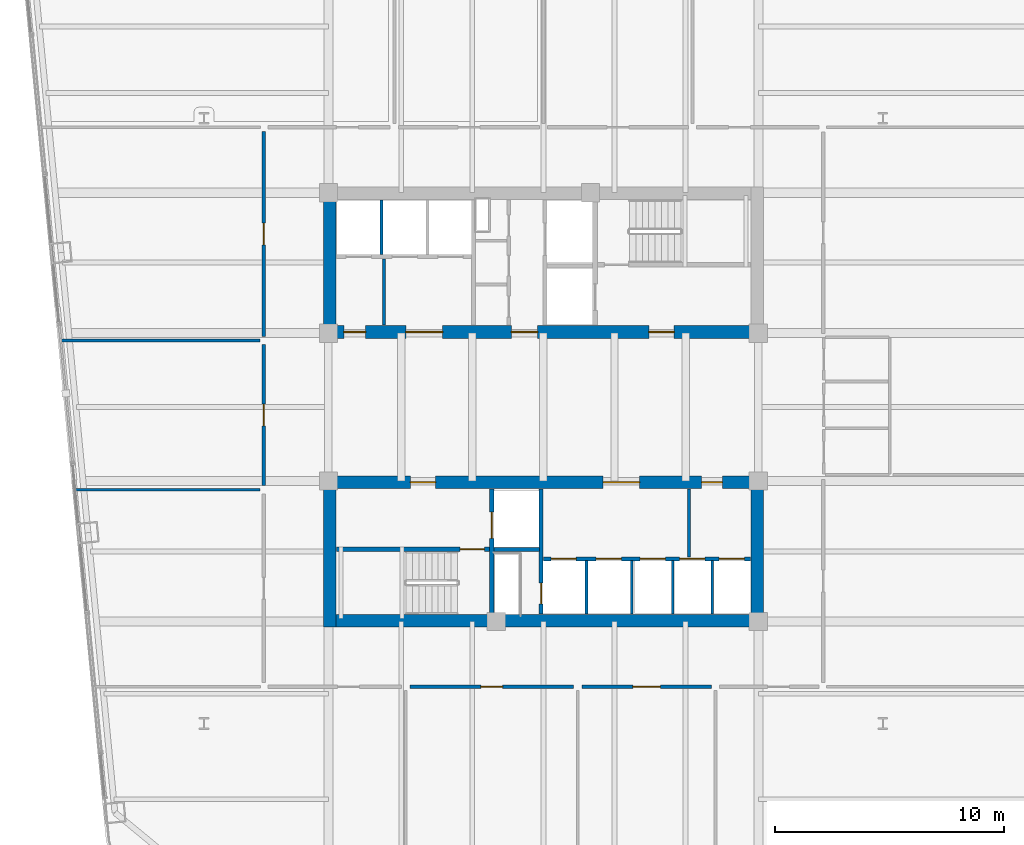
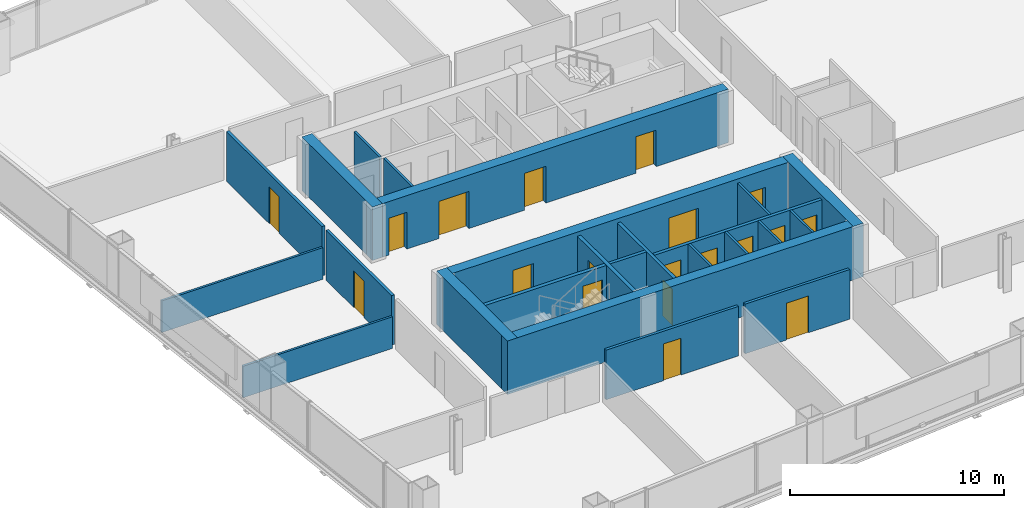
# One storey, part 23 of 28: 24 walls, 19 doors, 19 openings.
"""IFC4 building model written with IfcOpenShell, lengths in metres."""

import ifcopenshell
import ifcopenshell.guid

model = None  # the IFC model being written
_history = None  # IfcOwnerHistory: only IFC2X3 demands one
_inside = {}  # id of a spatial element -> (the spatial element, [elements in it])
_under = {}  # id of a project, library or spatial element -> (it, [spatial elements below it])
_declared = {}  # id of a project -> (the project, [libraries it declares])
_typed = {}  # id of a type object -> (the type object, [elements of that type])
_made_of = {}  # id of a material, layer set ... -> (it, [elements and type objects made of it])


def new_model(schema):
    """Start an empty IFC model of exactly this schema.

    Asked for "IFC4X3", IfcOpenShell would pick the latest addendum, in which some entities
    have other attributes; the version numbers below select the first issue.
    IFC2X3 requires an IfcOwnerHistory on every rooted entity: one is made here for all.
    """
    global model, _history
    if schema == "IFC4X3":
        model = ifcopenshell.file(schema_version=(4, 3, 0, 0))
    else:
        model = ifcopenshell.file(schema=schema)
    _inside.clear()
    _under.clear()
    _declared.clear()
    _typed.clear()
    _made_of.clear()
    _history = None
    if model.schema == "IFC2X3":
        org = make("IfcOrganization", Name="unknown")
        user = make(
            "IfcPersonAndOrganization",
            ThePerson=make("IfcPerson", FamilyName="unknown"),
            TheOrganization=org,
        )
        app = make(
            "IfcApplication",
            ApplicationDeveloper=org,
            Version="unknown",
            ApplicationFullName="unknown",
            ApplicationIdentifier="unknown",
        )
        _history = make(
            "IfcOwnerHistory",
            OwningUser=user,
            OwningApplication=app,
            ChangeAction="ADDED",
            CreationDate=0,
        )
    return model


def make(cls, **values):
    """One entity of the class cls with the attributes given. An attribute that is None is left unset."""
    return model.create_entity(
        cls, **{name: value for name, value in values.items() if value is not None}
    )


def rooted(cls, **values):
    """An entity with a GlobalId (a new one), such as an element, a storey or a relation."""
    return make(cls, GlobalId=ifcopenshell.guid.new(), OwnerHistory=_history, **values)


def si_unit(unit_type, name, prefix=None):
    """IfcSIUnit, for example si_unit("LENGTHUNIT", "METRE", prefix="MILLI")."""
    return make("IfcSIUnit", UnitType=unit_type, Prefix=prefix, Name=name)


def assignment(units):
    """IfcUnitAssignment: the units of a project."""
    return None if units is None else make("IfcUnitAssignment", Units=units)


def point(xyz):
    """IfcCartesianPoint."""
    return None if xyz is None else make("IfcCartesianPoint", Coordinates=xyz)


def direction(xyz):
    """IfcDirection."""
    return None if xyz is None else make("IfcDirection", DirectionRatios=xyz)


def frame(location, z_axis=None, x_axis=None):
    """IfcAxis2Placement3D, a coordinate frame: its origin and axes. An axis left out is left unset."""
    return make(
        "IfcAxis2Placement3D",
        Location=point(location),
        Axis=direction(z_axis),
        RefDirection=direction(x_axis),
    )


def frame_2d(location, x_axis=None):
    """IfcAxis2Placement2D, a coordinate frame in the plane: its origin and x axis."""
    return make(
        "IfcAxis2Placement2D", Location=point(location), RefDirection=direction(x_axis)
    )


def origin():
    """The frame at (0, 0, 0) with its axes left unset."""
    return frame((0.0, 0.0, 0.0))


def place(relative_to, where):
    """IfcLocalPlacement: puts the frame where relative to a parent placement (None: the world)."""
    return make(
        "IfcLocalPlacement", PlacementRelTo=relative_to, RelativePlacement=where
    )


def context(
    kind, dimensions, precision=None, world=None, true_north=None, identifier=None
):
    """IfcGeometricRepresentationContext, for example the 3D "Model" context."""
    return make(
        "IfcGeometricRepresentationContext",
        ContextIdentifier=identifier,
        ContextType=kind,
        CoordinateSpaceDimension=dimensions,
        Precision=precision,
        WorldCoordinateSystem=world,
        TrueNorth=true_north,
    )


def subcontext(parent, identifier, kind, view, scale=None):
    """IfcGeometricRepresentationSubContext, for example "Body" below "Model"."""
    return make(
        "IfcGeometricRepresentationSubContext",
        ContextIdentifier=identifier,
        ContextType=kind,
        ParentContext=parent,
        TargetScale=scale,
        TargetView=view,
    )


def project(units=None, contexts=None):
    """IfcProject with its units and contexts."""
    return rooted(
        "IfcProject",
        Name="project",
        RepresentationContexts=contexts,
        UnitsInContext=assignment(units),
    )


def spatial(cls, under=None, at=None, **own):
    """A site, building, storey or space (cls), placed at a placement, below another one or the project."""
    s = rooted(cls, ObjectPlacement=at, **own)
    if under is not None:
        _under.setdefault(under.id(), (under, []))[1].append(s)
    return s


def profile(cls, at=None, kind="AREA", **sizes):
    """A parametric profile (cls). Its sizes go by their IFC names, for example OverallWidth=200.0."""
    return make(cls, ProfileType=kind, Position=at, **sizes)


def rectangle(**sizes):
    """IfcRectangleProfileDef."""
    return profile("IfcRectangleProfileDef", **sizes)


def extrude(swept, where, along, depth):
    """IfcExtrudedAreaSolid: the profile swept, set in the frame where, extruded along a direction by depth."""
    return make(
        "IfcExtrudedAreaSolid",
        SweptArea=swept,
        Position=where,
        ExtrudedDirection=direction(along),
        Depth=depth,
    )


def shape(context_of_items, identifier, shape_type, items):
    """IfcShapeRepresentation: the items that make up one representation, for example the "Body"."""
    return make(
        "IfcShapeRepresentation",
        ContextOfItems=context_of_items,
        RepresentationIdentifier=identifier,
        RepresentationType=shape_type,
        Items=items,
    )


def material(Name=None, Category=None):
    """IfcMaterial."""
    return make("IfcMaterial", Name=Name, Category=Category)


def layer(
    of_material, thickness, ventilated=None, Name=None, Category=None, Priority=None
):
    """IfcMaterialLayer: one layer of a wall or slab, of a material (None: an air gap)."""
    return make(
        "IfcMaterialLayer",
        Material=of_material,
        LayerThickness=thickness,
        IsVentilated=ventilated,
        Name=Name,
        Category=Category,
        Priority=Priority,
    )


def layer_set(layers, Name=None):
    """IfcMaterialLayerSet."""
    return make("IfcMaterialLayerSet", MaterialLayers=layers, LayerSetName=Name)


def made_of(thing, what):
    """Note that an element or type object is made of a material, layer set ...; save() writes the relation."""
    if what is not None:
        _made_of.setdefault(what.id(), (what, []))[1].append(thing)
    return thing


def type_object(cls, material=None, **own):
    """A type object (cls), such as IfcWallType, which elements share."""
    return made_of(rooted(cls, **own), material)


def element(
    cls,
    number,
    at=None,
    inside=None,
    cuts=None,
    type_object=None,
    material=None,
    context=None,
    identifier="Body",
    shape_type=None,
    held_by="IfcProductDefinitionShape",
    body=None,
    shapes=None,
    **own,
):
    """One element of the class cls, such as IfcWall. Its Tag is "e" and its number.

    at: its placement. inside: the storey or other place that contains it. cuts: it is an
    opening in that element (IfcRelVoidsElement). A single representation is given by context,
    identifier, shape_type and body (its items); several are given by shapes. held_by: the class
    of the entity that holds the representations. save() writes the other relations.
    """
    e = rooted(cls, Tag="e%d" % number, ObjectPlacement=at, **own)
    if body is not None:
        shapes = [shape(context, identifier, shape_type, body)]
    if shapes is not None:
        e.Representation = make(held_by, Representations=shapes)
    if inside is not None:
        _inside.setdefault(inside.id(), (inside, []))[1].append(e)
    if cuts is not None:
        rooted(
            "IfcRelVoidsElement", RelatingBuildingElement=cuts, RelatedOpeningElement=e
        )
    if type_object is not None:
        _typed.setdefault(type_object.id(), (type_object, []))[1].append(e)
    return made_of(e, material)


def fill(opening, filler):
    """IfcRelFillsElement: the door or window that sits in an opening."""
    return rooted(
        "IfcRelFillsElement",
        RelatingOpeningElement=opening,
        RelatedBuildingElement=filler,
    )


def aggregate(whole, parts):
    """IfcRelAggregates: a whole, such as a stair, and the parts it consists of."""
    return rooted("IfcRelAggregates", RelatingObject=whole, RelatedObjects=parts)


def save(model, path):
    """Write the relations noted so far, then the file.

    IfcRelAggregates (storeys below a building ...), IfcRelContainedInSpatialStructure (elements
    in a storey), IfcRelDefinesByType, IfcRelAssociatesMaterial and IfcRelDeclares: one each for
    every whole, place, type object, material and project.
    """
    for whole, parts in _under.values():
        aggregate(whole, parts)
    for where, things in _inside.values():
        rooted(
            "IfcRelContainedInSpatialStructure",
            RelatedElements=things,
            RelatingStructure=where,
        )
    for kind, things in _typed.values():
        rooted("IfcRelDefinesByType", RelatedObjects=things, RelatingType=kind)
    for what, things in _made_of.values():
        rooted("IfcRelAssociatesMaterial", RelatedObjects=things, RelatingMaterial=what)
    for by, libraries in _declared.values():
        rooted("IfcRelDeclares", RelatingContext=by, RelatedDefinitions=libraries)
    model.write(path)


model = new_model("IFC4")

# Units and contexts
model_context = context("Model", 3, precision=1e-05, world=origin(), true_north=direction((0.0, 1.0)))
body_context = subcontext(model_context, "Body", "Model", "MODEL_VIEW")
ifc_project = project(units=[si_unit("LENGTHUNIT", "METRE"), si_unit("AREAUNIT", "SQUARE_METRE"), si_unit("VOLUMEUNIT", "CUBIC_METRE"), si_unit("PLANEANGLEUNIT", "RADIAN"), si_unit("MASSUNIT", "GRAM", prefix="KILO")], contexts=[model_context])

# Site, building, storey
site_placement = place(None, origin())
site = spatial("IfcSite", under=ifc_project, at=site_placement, CompositionType="ELEMENT")
building_placement = place(site_placement, origin())
building = spatial("IfcBuilding", under=site, at=building_placement, Name="Qhalaya Broadcast Tower", CompositionType="ELEMENT")
storey_placement = place(building_placement, frame((0.0, 0.0, 90.800048828125)))
storey = spatial("IfcBuildingStorey", under=building, at=storey_placement, Name="L26", CompositionType="ELEMENT", Elevation=90.800048828125)

# Wall, opening, door
ifc_material_1 = material(Name="Gypsum Acoustic Partition")
ifc_layer_1 = layer(ifc_material_1, 0.14990234375, Name="Gypsum Acoustic Partition")
ifc_layer_set_1 = layer_set([ifc_layer_1], Name="Gypsum Acoustic Partition")
wall_type_1 = type_object("IfcWallType", Name="Corridor & Tenancy Acoustic Partition 150", PredefinedType="PARTITIONING", material=ifc_layer_set_1)
wall_1_placement = place(storey_placement, frame((-5.820068359375, -11.60009765625, 0.0), z_axis=(0.0, 0.0, 1.0), x_axis=(1.0, 0.0, 0.0)))
wall_1 = element("IfcWall", 1, at=wall_1_placement, inside=storey, type_object=wall_type_1, Name="L26 Partition Wall W-COR-06", PredefinedType="PARTITIONING", context=body_context, shape_type="SweptSolid", body=[
    extrude(rectangle(XDim=7.14013671875, YDim=0.14990234375, at=frame_2d((3.570068359375, 0.0))), origin(), (0.0, 0.0, 1.0), 2.829833984375),
])
opening_1_placement = place(wall_1_placement, frame((3.094970703125, 0.0, 0.0)))
opening_1 = element("IfcOpeningElement", 2, at=opening_1_placement, cuts=wall_1, Name="Opening D10", PredefinedType="OPENING", context=body_context, shape_type="SweptSolid", body=[
    extrude(rectangle(XDim=0.949951171875, YDim=2.10009765625, at=frame_2d((0.47509765625, 1.050048828125))), frame((0.0, 0.0869140625, 0.0), z_axis=(0.0, -1.0, 0.0), x_axis=(1.0, 0.0, 0.0)), (0.0, 0.0, 1.0), 0.173828125),
])
ifc_material_2 = material(Name="Timber Veneer Acoustic Door", Category="wood")
door_type_1 = type_object("IfcDoorType", Name="Cellular Office & Edit Booth Door D10", OperationType="NOTDEFINED", PredefinedType="DOOR", material=ifc_material_2)
door_1_placement = place(opening_1_placement, origin())
door_1 = element("IfcDoor", 3, at=door_1_placement, inside=storey, type_object=door_type_1, Name="L26 Door D-RM06", OperationType="SINGLE_SWING_LEFT", OverallHeight=2.10009765625, OverallWidth=0.949951171875, PredefinedType="DOOR", context=body_context, shape_type="SweptSolid", body=[
    extrude(rectangle(XDim=0.949951171875, YDim=2.10009765625, at=frame_2d((0.47509765625, 1.050048828125))), frame((0.0, 0.02490234375, 0.0), z_axis=(0.0, -1.0, 0.0), x_axis=(1.0, 0.0, 0.0)), (0.0, 0.0, 1.0), 0.050048828125),
])
fill(opening_1, door_1)

wall_2_placement = place(storey_placement, frame((1.679931640625, -11.60009765625, 0.0), z_axis=(0.0, 0.0, 1.0), x_axis=(1.0, 0.0, 0.0)))
wall_2 = element("IfcWall", 4, at=wall_2_placement, inside=storey, type_object=wall_type_1, Name="L26 Partition Wall W-COR-07", PredefinedType="PARTITIONING", context=body_context, shape_type="SweptSolid", body=[
    extrude(rectangle(XDim=5.64013671875, YDim=0.14990234375, at=frame_2d((2.820068359375, 0.0))), origin(), (0.0, 0.0, 1.0), 2.829833984375),
])
opening_2_placement = place(wall_2_placement, frame((2.219970703125, 0.0, 0.0)))
opening_2 = element("IfcOpeningElement", 5, at=opening_2_placement, cuts=wall_2, Name="Opening D11", PredefinedType="OPENING", context=body_context, shape_type="SweptSolid", body=[
    extrude(rectangle(XDim=1.199951171875, YDim=2.10009765625, at=frame_2d((0.60009765625, 1.050048828125))), frame((0.0, 0.0869140625, 0.0), z_axis=(0.0, -1.0, 0.0), x_axis=(1.0, 0.0, 0.0)), (0.0, 0.0, 1.0), 0.173828125),
])
ifc_material_3 = material(Name="Anodised Aluminium Glazed Door", Category="aluminium")
door_type_2 = type_object("IfcDoorType", Name="Conference, Boardroom & Studio Control Door D11", OperationType="NOTDEFINED", PredefinedType="DOOR", material=ifc_material_3)
door_2_placement = place(opening_2_placement, origin())
door_2 = element("IfcDoor", 6, at=door_2_placement, inside=storey, type_object=door_type_2, Name="L26 Door D-RM07", OperationType="SINGLE_SWING_RIGHT", OverallHeight=2.10009765625, OverallWidth=1.199951171875, PredefinedType="DOOR", context=body_context, shape_type="SweptSolid", body=[
    extrude(rectangle(XDim=1.199951171875, YDim=2.10009765625, at=frame_2d((0.60009765625, 1.050048828125))), frame((0.0, 0.02490234375, 0.0), z_axis=(0.0, -1.0, 0.0), x_axis=(1.0, 0.0, 0.0)), (0.0, 0.0, 1.0), 0.050048828125),
])
fill(opening_2, door_2)

wall_3_placement = place(storey_placement, frame((-12.199951171875, -2.820068359375, 0.0), z_axis=(0.0, 0.0, 1.0), x_axis=(0.0, 1.0, 0.0)))
wall_3 = element("IfcWall", 7, at=wall_3_placement, inside=storey, type_object=wall_type_1, Name="L26 Partition Wall W-COR-10", PredefinedType="PARTITIONING", context=body_context, shape_type="SweptSolid", body=[
    extrude(rectangle(XDim=6.14013671875, YDim=0.14990234375, at=frame_2d((3.070068359375, 0.0))), origin(), (0.0, 0.0, 1.0), 2.829833984375),
])
opening_3_placement = place(wall_3_placement, frame((2.594970703125, 0.0, 0.0)))
opening_3 = element("IfcOpeningElement", 8, at=opening_3_placement, cuts=wall_3, Name="Opening D10", PredefinedType="OPENING", context=body_context, shape_type="SweptSolid", body=[
    extrude(rectangle(XDim=0.949951171875, YDim=2.10009765625, at=frame_2d((0.47509765625, 1.050048828125))), frame((0.0, 0.0869140625, 0.0), z_axis=(0.0, -1.0, 0.0), x_axis=(1.0, 0.0, 0.0)), (0.0, 0.0, 1.0), 0.173828125),
])
door_3_placement = place(opening_3_placement, origin())
door_3 = element("IfcDoor", 9, at=door_3_placement, inside=storey, type_object=door_type_1, Name="L26 Door D-RM10", OperationType="SINGLE_SWING_LEFT", OverallHeight=2.10009765625, OverallWidth=0.949951171875, PredefinedType="DOOR", context=body_context, shape_type="SweptSolid", body=[
    extrude(rectangle(XDim=0.949951171875, YDim=2.10009765625, at=frame_2d((0.47509765625, 1.050048828125))), frame((0.0, 0.02490234375, 0.0), z_axis=(0.0, -1.0, 0.0), x_axis=(1.0, 0.0, 0.0)), (0.0, 0.0, 1.0), 0.050048828125),
])
fill(opening_3, door_3)

wall_4_placement = place(storey_placement, frame((-12.199951171875, 3.679931640625, 0.0), z_axis=(0.0, 0.0, 1.0), x_axis=(0.0, 1.0, 0.0)))
wall_4 = element("IfcWall", 10, at=wall_4_placement, inside=storey, type_object=wall_type_1, Name="L26 Partition Wall W-COR-11", PredefinedType="PARTITIONING", context=body_context, shape_type="SweptSolid", body=[
    extrude(rectangle(XDim=8.940185546875, YDim=0.14990234375, at=frame_2d((4.47021484375, 0.0))), origin(), (0.0, 0.0, 1.0), 2.829833984375),
])
opening_4_placement = place(wall_4_placement, frame((3.9951171875, 0.0, 0.0)))
opening_4 = element("IfcOpeningElement", 11, at=opening_4_placement, cuts=wall_4, Name="Opening D10", PredefinedType="OPENING", context=body_context, shape_type="SweptSolid", body=[
    extrude(rectangle(XDim=0.949951171875, YDim=2.10009765625, at=frame_2d((0.47509765625, 1.050048828125))), frame((0.0, 0.0869140625, 0.0), z_axis=(0.0, -1.0, 0.0), x_axis=(1.0, 0.0, 0.0)), (0.0, 0.0, 1.0), 0.173828125),
])
door_4_placement = place(opening_4_placement, origin())
door_4 = element("IfcDoor", 12, at=door_4_placement, inside=storey, type_object=door_type_1, Name="L26 Door D-RM11", OperationType="SINGLE_SWING_RIGHT", OverallHeight=2.10009765625, OverallWidth=0.949951171875, PredefinedType="DOOR", context=body_context, shape_type="SweptSolid", body=[
    extrude(rectangle(XDim=0.949951171875, YDim=2.10009765625, at=frame_2d((0.47509765625, 1.050048828125))), frame((0.0, 0.02490234375, 0.0), z_axis=(0.0, -1.0, 0.0), x_axis=(1.0, 0.0, 0.0)), (0.0, 0.0, 1.0), 0.050048828125),
])
fill(opening_4, door_4)

ifc_material_4 = material(Name="Concrete C50/60", Category="concrete")
ifc_layer_2 = layer(ifc_material_4, 0.199951171875, Name="Concrete C50/60")
ifc_layer_set_2 = layer_set([ifc_layer_2], Name="Concrete C50/60")
wall_type_2 = type_object("IfcWallType", Name="Load-Bearing Stair Shaft Wall 200", PredefinedType="SHEAR", material=ifc_layer_set_2)
wall_5_placement = place(storey_placement, frame((-9.030029296875, -5.60498046875, 0.0), z_axis=(0.0, 0.0, 1.0), x_axis=(1.0, 0.0, 0.0)))
wall_5 = element("IfcWall", 13, at=wall_5_placement, inside=storey, type_object=wall_type_2, Name="L26 Stair Core Shear Wall SCW-ST2", PredefinedType="SHEAR", context=body_context, shape_type="SweptSolid", body=[
    extrude(rectangle(XDim=6.669921875, YDim=0.199951171875, at=frame_2d((3.3349609375, 0.0))), origin(), (0.0, 0.0, 1.0), 2.829833984375),
])
opening_5_placement = place(wall_5_placement, frame((5.39990234375, 0.0, 0.0)))
opening_5 = element("IfcOpeningElement", 14, at=opening_5_placement, cuts=wall_5, Name="Opening D03", PredefinedType="OPENING", context=body_context, shape_type="SweptSolid", body=[
    extrude(rectangle(XDim=1.050048828125, YDim=2.080078125, at=frame_2d((0.52490234375, 1.0400390625))), frame((0.0, 0.112060546875, 0.0), z_axis=(0.0, -1.0, 0.0), x_axis=(1.0, 0.0, 0.0)), (0.0, 0.0, 1.0), 0.223876953125),
])
ifc_material_5 = material(Name="Fire-Rated Steel Door", Category="steel")
door_type_3 = type_object("IfcDoorType", Name="Core Stair Protected Fire Door D03", OperationType="NOTDEFINED", PredefinedType="DOOR", material=ifc_material_5)
door_5_placement = place(opening_5_placement, origin())
door_5 = element("IfcDoor", 15, at=door_5_placement, inside=storey, type_object=door_type_3, Name="L26 Door D-SST2", OperationType="SINGLE_SWING_RIGHT", OverallHeight=2.080078125, OverallWidth=1.050048828125, PredefinedType="DOOR", context=body_context, shape_type="SweptSolid", body=[
    extrude(rectangle(XDim=1.050048828125, YDim=2.080078125, at=frame_2d((0.52490234375, 1.0400390625))), frame((0.0, 0.02490234375, 0.0), z_axis=(0.0, -1.0, 0.0), x_axis=(1.0, 0.0, 0.0)), (0.0, 0.0, 1.0), 0.050048828125),
])
fill(opening_5, door_5)

wall_6_placement = place(storey_placement, frame((-2.25, -8.429931640625, 0.0), z_axis=(0.0, 0.0, 1.0), x_axis=(0.0, 1.0, 0.0)))
wall_6 = element("IfcWall", 16, at=wall_6_placement, inside=storey, type_object=wall_type_2, Name="L26 Stair Core Shear Wall SCW-FF", PredefinedType="SHEAR", context=body_context, shape_type="SweptSolid", body=[
    extrude(rectangle(XDim=5.4599609375, YDim=0.199951171875, at=frame_2d((2.72998046875, 0.0))), origin(), (0.0, 0.0, 1.0), 2.829833984375),
])
opening_6_placement = place(wall_6_placement, frame((3.300048828125, 0.0, 0.0)))
opening_6 = element("IfcOpeningElement", 17, at=opening_6_placement, cuts=wall_6, Name="Opening LD2", PredefinedType="OPENING", context=body_context, shape_type="SweptSolid", body=[
    extrude(rectangle(XDim=1.14990234375, YDim=2.080078125, at=frame_2d((0.574951171875, 1.0400390625))), frame((0.0, 0.112060546875, 0.0), z_axis=(0.0, -1.0, 0.0), x_axis=(1.0, 0.0, 0.0)), (0.0, 0.0, 1.0), 0.223876953125),
])
ifc_material_6 = material(Name="Brushed Stainless Steel Lift Door", Category="steel")
door_type_4 = type_object("IfcDoorType", Name="Firefighting Lift Sliding Landing Door LD2", OperationType="DOUBLE_DOOR_SLIDING", PredefinedType="DOOR", material=ifc_material_6)
door_6_placement = place(opening_6_placement, origin())
door_6 = element("IfcDoor", 18, at=door_6_placement, inside=storey, type_object=door_type_4, Name="L26 Door LD-FF2", OperationType="DOUBLE_DOOR_SLIDING", OverallHeight=2.080078125, OverallWidth=1.14990234375, PredefinedType="DOOR", context=body_context, shape_type="SweptSolid", body=[
    extrude(rectangle(XDim=1.14990234375, YDim=2.080078125, at=frame_2d((0.574951171875, 1.0400390625))), frame((0.0, 0.02490234375, 0.0), z_axis=(0.0, -1.0, 0.0), x_axis=(1.0, 0.0, 0.0)), (0.0, 0.0, 1.0), 0.050048828125),
])
fill(opening_6, door_6)

# Wall, openings, doors
ifc_material_7 = material(Name="Concrete C60/75", Category="concrete")
ifc_layer_3 = layer(ifc_material_7, 0.550048828125, Name="Concrete C60/75")
ifc_layer_set_3 = layer_set([ifc_layer_3], Name="Concrete C60/75")
wall_type_3 = type_object("IfcWallType", Name="Lower Split-Core Shear Wall 550", PredefinedType="SHEAR", material=ifc_layer_set_3)
wall_7_placement = place(storey_placement, frame((-9.60009765625, 3.875, 0.0), z_axis=(0.0, 0.0, 1.0), x_axis=(1.0, 0.0, 0.0)))
wall_7 = element("IfcWall", 19, at=wall_7_placement, inside=storey, type_object=wall_type_3, Name="L26 Split-Core Shear Wall CW-NS", PredefinedType="SHEAR", context=body_context, shape_type="SweptSolid", body=[
    extrude(rectangle(XDim=19.2001953125, YDim=0.550048828125, at=frame_2d((9.60009765625, 0.0))), origin(), (0.0, 0.0, 1.0), 3.050048828125),
])
opening_7_placement = place(wall_7_placement, frame((14.199951171875, 0.0, 0.0)))
opening_7 = element("IfcOpeningElement", 20, at=opening_7_placement, cuts=wall_7, Name="Opening D04", PredefinedType="OPENING", context=body_context, shape_type="SweptSolid", body=[
    extrude(rectangle(XDim=1.10009765625, YDim=2.080078125, at=frame_2d((0.550048828125, 1.0400390625))), frame((0.0, 0.287109375, 0.0), z_axis=(0.0, -1.0, 0.0), x_axis=(1.0, 0.0, 0.0)), (0.0, 0.0, 1.0), 0.573974609375),
])
opening_8_placement = place(wall_7_placement, frame((8.199951171875, 0.0, 0.0)))
opening_8 = element("IfcOpeningElement", 21, at=opening_8_placement, cuts=wall_7, Name="Opening D05", PredefinedType="OPENING", context=body_context, shape_type="SweptSolid", body=[
    extrude(rectangle(XDim=1.14990234375, YDim=2.10009765625, at=frame_2d((0.574951171875, 1.050048828125))), frame((0.0, 0.287109375, 0.0), z_axis=(0.0, -1.0, 0.0), x_axis=(1.0, 0.0, 0.0)), (0.0, 0.0, 1.0), 0.573974609375),
])
opening_9_placement = place(wall_7_placement, frame((0.89990234375, 0.0, 0.0)))
opening_9 = element("IfcOpeningElement", 22, at=opening_9_placement, cuts=wall_7, Name="Opening D10", PredefinedType="OPENING", context=body_context, shape_type="SweptSolid", body=[
    extrude(rectangle(XDim=0.949951171875, YDim=2.10009765625, at=frame_2d((0.47509765625, 1.050048828125))), frame((0.0, 0.287109375, 0.0), z_axis=(0.0, -1.0, 0.0), x_axis=(1.0, 0.0, 0.0)), (0.0, 0.0, 1.0), 0.573974609375),
])
opening_10_placement = place(wall_7_placement, frame((3.60009765625, 0.0, 0.0)))
opening_10 = element("IfcOpeningElement", 23, at=opening_10_placement, cuts=wall_7, Name="Opening D07", PredefinedType="OPENING", context=body_context, shape_type="SweptSolid", body=[
    extrude(rectangle(XDim=1.60009765625, YDim=2.1201171875, at=frame_2d((0.800048828125, 1.06005859375))), frame((0.0, 0.287109375, 0.0), z_axis=(0.0, -1.0, 0.0), x_axis=(1.0, 0.0, 0.0)), (0.0, 0.0, 1.0), 0.573974609375),
])
door_7_placement = place(opening_9_placement, origin())
door_7 = element("IfcDoor", 24, at=door_7_placement, inside=storey, type_object=door_type_1, Name="L26 Door D-NLPNT", OperationType="SINGLE_SWING_RIGHT", OverallHeight=2.10009765625, OverallWidth=0.949951171875, PredefinedType="DOOR", context=body_context, shape_type="SweptSolid", body=[
    extrude(rectangle(XDim=0.949951171875, YDim=2.10009765625, at=frame_2d((0.47509765625, 1.050048828125))), frame((0.0, 0.02490234375, 0.0), z_axis=(0.0, -1.0, 0.0), x_axis=(1.0, 0.0, 0.0)), (0.0, 0.0, 1.0), 0.050048828125),
])
fill(opening_9, door_7)
door_type_5 = type_object("IfcDoorType", Name="Firefighting Lobby Rated Door D04", OperationType="NOTDEFINED", PredefinedType="DOOR", material=ifc_material_5)
door_8_placement = place(opening_7_placement, origin())
door_8 = element("IfcDoor", 25, at=door_8_placement, inside=storey, type_object=door_type_5, Name="L26 Door D-NFF", OperationType="SINGLE_SWING_RIGHT", OverallHeight=2.080078125, OverallWidth=1.10009765625, PredefinedType="DOOR", context=body_context, shape_type="SweptSolid", body=[
    extrude(rectangle(XDim=1.10009765625, YDim=2.080078125, at=frame_2d((0.550048828125, 1.0400390625))), frame((0.0, 0.02490234375, 0.0), z_axis=(0.0, -1.0, 0.0), x_axis=(1.0, 0.0, 0.0)), (0.0, 0.0, 1.0), 0.050048828125),
])
fill(opening_7, door_8)
door_type_6 = type_object("IfcDoorType", Name="Passenger Lift Lobby Double Glazed Door D07", OperationType="DOUBLE_DOOR_SINGLE_SWING", PredefinedType="DOOR", material=ifc_material_3)
door_9_placement = place(opening_10_placement, origin())
door_9 = element("IfcDoor", 26, at=door_9_placement, inside=storey, type_object=door_type_6, Name="L26 Door D-NPLL", OperationType="DOUBLE_DOOR_SINGLE_SWING", OverallHeight=2.1201171875, OverallWidth=1.60009765625, PredefinedType="DOOR", context=body_context, shape_type="SweptSolid", body=[
    extrude(rectangle(XDim=1.60009765625, YDim=2.1201171875, at=frame_2d((0.800048828125, 1.06005859375))), frame((0.0, 0.02490234375, 0.0), z_axis=(0.0, -1.0, 0.0), x_axis=(1.0, 0.0, 0.0)), (0.0, 0.0, 1.0), 0.050048828125),
])
fill(opening_10, door_9)
door_type_7 = type_object("IfcDoorType", Name="Refuge & Plant Room Fire Door D05", OperationType="NOTDEFINED", PredefinedType="DOOR", material=ifc_material_5)
door_10_placement = place(opening_8_placement, origin())
door_10 = element("IfcDoor", 27, at=door_10_placement, inside=storey, type_object=door_type_7, Name="L26 Door D-NSVL", OperationType="SINGLE_SWING_LEFT", OverallHeight=2.10009765625, OverallWidth=1.14990234375, PredefinedType="DOOR", context=body_context, shape_type="SweptSolid", body=[
    extrude(rectangle(XDim=1.14990234375, YDim=2.10009765625, at=frame_2d((0.574951171875, 1.050048828125))), frame((0.0, 0.02490234375, 0.0), z_axis=(0.0, -1.0, 0.0), x_axis=(1.0, 0.0, 0.0)), (0.0, 0.0, 1.0), 0.050048828125),
])
fill(opening_8, door_10)

# Walls
wall_8_placement = place(storey_placement, frame((-9.324951171875, 3.60009765625, 0.0), z_axis=(0.0, 0.0, 1.0), x_axis=(0.0, 1.0, 0.0)))
element("IfcWall", 28, at=wall_8_placement, inside=storey, type_object=wall_type_3, Name="L26 Split-Core Shear Wall CW-NW", PredefinedType="SHEAR", context=body_context, shape_type="SweptSolid", body=[
    extrude(rectangle(XDim=6.599853515625, YDim=0.550048828125, at=frame_2d((3.2998046875, 0.0))), origin(), (0.0, 0.0, 1.0), 3.050048828125),
])
wall_9_placement = place(storey_placement, frame((-9.60009765625, -8.72509765625, 0.0), z_axis=(0.0, 0.0, 1.0), x_axis=(1.0, 0.0, 0.0)))
element("IfcWall", 29, at=wall_9_placement, inside=storey, type_object=wall_type_3, Name="L26 Split-Core Shear Wall CW-SS", PredefinedType="SHEAR", context=body_context, shape_type="SweptSolid", body=[
    extrude(rectangle(XDim=19.2001953125, YDim=0.550048828125, at=frame_2d((9.60009765625, 0.0))), origin(), (0.0, 0.0, 1.0), 3.050048828125),
])

# Wall, openings, doors
wall_10_placement = place(storey_placement, frame((-9.60009765625, -2.675048828125, 0.0), z_axis=(0.0, 0.0, 1.0), x_axis=(1.0, 0.0, 0.0)))
wall_10 = element("IfcWall", 30, at=wall_10_placement, inside=storey, type_object=wall_type_3, Name="L26 Split-Core Shear Wall CW-SN", PredefinedType="SHEAR", context=body_context, shape_type="SweptSolid", body=[
    extrude(rectangle(XDim=19.2001953125, YDim=0.550048828125, at=frame_2d((9.60009765625, 0.0))), origin(), (0.0, 0.0, 1.0), 3.050048828125),
])
opening_11_placement = place(wall_10_placement, frame((3.800048828125, 0.0, 0.0)))
opening_11 = element("IfcOpeningElement", 31, at=opening_11_placement, cuts=wall_10, Name="Opening D04", PredefinedType="OPENING", context=body_context, shape_type="SweptSolid", body=[
    extrude(rectangle(XDim=1.10009765625, YDim=2.080078125, at=frame_2d((0.550048828125, 1.0400390625))), frame((0.0, 0.287109375, 0.0), z_axis=(0.0, -1.0, 0.0), x_axis=(1.0, 0.0, 0.0)), (0.0, 0.0, 1.0), 0.573974609375),
])
opening_12_placement = place(wall_10_placement, frame((12.199951171875, 0.0, 0.0)))
opening_12 = element("IfcOpeningElement", 32, at=opening_12_placement, cuts=wall_10, Name="Opening D07", PredefinedType="OPENING", context=body_context, shape_type="SweptSolid", body=[
    extrude(rectangle(XDim=1.60009765625, YDim=2.1201171875, at=frame_2d((0.800048828125, 1.06005859375))), frame((0.0, 0.287109375, 0.0), z_axis=(0.0, -1.0, 0.0), x_axis=(1.0, 0.0, 0.0)), (0.0, 0.0, 1.0), 0.573974609375),
])
opening_13_placement = place(wall_10_placement, frame((16.5, 0.0, 0.0)))
opening_13 = element("IfcOpeningElement", 33, at=opening_13_placement, cuts=wall_10, Name="Opening D06", PredefinedType="OPENING", context=body_context, shape_type="SweptSolid", body=[
    extrude(rectangle(XDim=0.89990234375, YDim=2.050048828125, at=frame_2d((0.449951171875, 1.02490234375))), frame((0.0, 0.287109375, 0.0), z_axis=(0.0, -1.0, 0.0), x_axis=(1.0, 0.0, 0.0)), (0.0, 0.0, 1.0), 0.573974609375),
])
door_11_placement = place(opening_11_placement, origin())
door_11 = element("IfcDoor", 34, at=door_11_placement, inside=storey, type_object=door_type_5, Name="L26 Door D-SFF", OperationType="SINGLE_SWING_LEFT", OverallHeight=2.080078125, OverallWidth=1.10009765625, PredefinedType="DOOR", context=body_context, shape_type="SweptSolid", body=[
    extrude(rectangle(XDim=1.10009765625, YDim=2.080078125, at=frame_2d((0.550048828125, 1.0400390625))), frame((0.0, 0.02490234375, 0.0), z_axis=(0.0, -1.0, 0.0), x_axis=(1.0, 0.0, 0.0)), (0.0, 0.0, 1.0), 0.050048828125),
])
fill(opening_11, door_11)
door_12_placement = place(opening_12_placement, origin())
door_12 = element("IfcDoor", 35, at=door_12_placement, inside=storey, type_object=door_type_6, Name="L26 Door D-SPLL", OperationType="DOUBLE_DOOR_SINGLE_SWING", OverallHeight=2.1201171875, OverallWidth=1.60009765625, PredefinedType="DOOR", context=body_context, shape_type="SweptSolid", body=[
    extrude(rectangle(XDim=1.60009765625, YDim=2.1201171875, at=frame_2d((0.800048828125, 1.06005859375))), frame((0.0, 0.02490234375, 0.0), z_axis=(0.0, -1.0, 0.0), x_axis=(1.0, 0.0, 0.0)), (0.0, 0.0, 1.0), 0.050048828125),
])
fill(opening_12, door_12)
door_type_8 = type_object("IfcDoorType", Name="Riser & Electrical Shaft Access Door D06", OperationType="NOTDEFINED", PredefinedType="DOOR", material=ifc_material_5)
door_13_placement = place(opening_13_placement, origin())
door_13 = element("IfcDoor", 36, at=door_13_placement, inside=storey, type_object=door_type_8, Name="L26 Door D-SSCST", OperationType="SINGLE_SWING_LEFT", OverallHeight=2.050048828125, OverallWidth=0.89990234375, PredefinedType="DOOR", context=body_context, shape_type="SweptSolid", body=[
    extrude(rectangle(XDim=0.89990234375, YDim=2.050048828125, at=frame_2d((0.449951171875, 1.02490234375))), frame((0.0, 0.02490234375, 0.0), z_axis=(0.0, -1.0, 0.0), x_axis=(1.0, 0.0, 0.0)), (0.0, 0.0, 1.0), 0.050048828125),
])
fill(opening_13, door_13)

# Walls
for number, where, z_axis, x_axis, name in (
    (37, (-9.324951171875, -9.0, 0.0), (0.0, 0.0, 1.0), (0.0, 1.0, 0.0), "L26 Split-Core Shear Wall CW-SW"),
    (38, (9.324951171875, -9.0, 0.0), (0.0, 0.0, 1.0), (0.0, 1.0, 0.0), "L26 Split-Core Shear Wall CW-SE"),
):
    element("IfcWall", number, at=place(storey_placement, frame(where, z_axis=z_axis, x_axis=x_axis)), inside=storey, type_object=wall_type_3, Name=name, PredefinedType="SHEAR", context=body_context, shape_type="SweptSolid", body=[
        extrude(rectangle(XDim=6.60009765625, YDim=0.550048828125, at=frame_2d((3.300048828125, 0.0))), origin(), (0.0, 0.0, 1.0), 3.050048828125),
    ])
ifc_layer_4 = layer(ifc_material_1, 0.1201171875, Name="Gypsum Acoustic Partition")
ifc_layer_set_4 = layer_set([ifc_layer_4], Name="Gypsum Acoustic Partition")
wall_type_4 = type_object("IfcWallType", Name="Office, Booth & Sanitary Partition 120", PredefinedType="PARTITIONING", material=ifc_layer_set_4)
wall_11_placement = place(storey_placement, frame((-7.06005859375, 7.25, 0.0), z_axis=(0.0, 0.0, 1.0), x_axis=(0.0, 1.0, 0.0)))
element("IfcWall", 39, at=wall_11_placement, inside=storey, type_object=wall_type_4, Name="L26 Partition Wall NCW-PD1", PredefinedType="PARTITIONING", context=body_context, shape_type="SweptSolid", body=[
    extrude(rectangle(XDim=2.3798828125, YDim=0.1201171875, at=frame_2d((1.18994140625, 0.0))), origin(), (0.0, 0.0, 1.0), 2.829833984375),
])
wall_12_placement = place(storey_placement, frame((-6.949951171875, 4.169921875, 0.0), z_axis=(0.0, 0.0, 1.0), x_axis=(0.0, 1.0, 0.0)))
element("IfcWall", 40, at=wall_12_placement, inside=storey, type_object=wall_type_4, Name="L26 Partition Wall NCW-LKB", PredefinedType="PARTITIONING", context=body_context, shape_type="SweptSolid", body=[
    extrude(rectangle(XDim=2.89013671875, YDim=0.1201171875, at=frame_2d((1.445068359375, 0.0))), origin(), (0.0, 0.0, 1.0), 2.829833984375),
])
for number, where, z_axis, x_axis, name in (
    (41, (1.8798828125, -8.429931640625, 0.0), (0.0, 0.0, 1.0), (0.0, 1.0, 0.0), "L26 Partition Wall SCW-MD4"),
    (42, (3.85009765625, -8.429931640625, 0.0), (0.0, 0.0, 1.0), (0.0, 1.0, 0.0), "L26 Partition Wall SCW-MD5"),
    (43, (5.639892578125, -8.429931640625, 0.0), (0.0, 0.0, 1.0), (0.0, 1.0, 0.0), "L26 Partition Wall SCW-HD6"),
    (44, (7.360107421875, -8.429931640625, 0.0), (0.0, 0.0, 1.0), (0.0, 1.0, 0.0), "L26 Partition Wall SCW-HD7"),
):
    element("IfcWall", number, at=place(storey_placement, frame(where, z_axis=z_axis, x_axis=x_axis)), inside=storey, type_object=wall_type_4, Name=name, PredefinedType="PARTITIONING", context=body_context, shape_type="SweptSolid", body=[
        extrude(rectangle(XDim=2.329833984375, YDim=0.1201171875, at=frame_2d((1.1650390625, 0.0))), origin(), (0.0, 0.0, 1.0), 2.829833984375),
    ])
wall_13_placement = place(storey_placement, frame((6.35009765625, -5.93994140625, 0.0), z_axis=(0.0, 0.0, 1.0), x_axis=(0.0, 1.0, 0.0)))
element("IfcWall", 45, at=wall_13_placement, inside=storey, type_object=wall_type_4, Name="L26 Partition Wall SCW-LKB", PredefinedType="PARTITIONING", context=body_context, shape_type="SweptSolid", body=[
    extrude(rectangle(XDim=2.969970703125, YDim=0.1201171875, at=frame_2d((1.48486328125, 0.0))), origin(), (0.0, 0.0, 1.0), 2.829833984375),
])
wall_14_placement = place(storey_placement, frame((-20.423583984375, -3.0, 0.0), z_axis=(0.0, 0.0, 1.0), x_axis=(1.0, 0.0, 0.0)))
element("IfcWall", 46, at=wall_14_placement, inside=storey, type_object=wall_type_4, Name="L26 Partition Wall W-DIVW1", PredefinedType="PARTITIONING", context=body_context, shape_type="SweptSolid", body=[
    extrude(rectangle(XDim=8.0634765625, YDim=0.1201171875, at=frame_2d((4.03173828125, 0.0))), origin(), (0.0, 0.0, 1.0), 1.799072265625),
])
wall_15_placement = place(storey_placement, frame((-21.04931640625, 3.5, 0.0), z_axis=(0.0, 0.0, 1.0), x_axis=(1.0, 0.0, 0.0)))
element("IfcWall", 47, at=wall_15_placement, inside=storey, type_object=wall_type_4, Name="L26 Partition Wall W-DIVW2", PredefinedType="PARTITIONING", context=body_context, shape_type="SweptSolid", body=[
    extrude(rectangle(XDim=8.689208984375, YDim=0.1201171875, at=frame_2d((4.3447265625, 0.0))), origin(), (0.0, 0.0, 1.0), 1.799072265625),
])

# Wall, opening, door
ifc_layer_5 = layer(ifc_material_1, 0.175048828125, Name="Gypsum Acoustic Partition")
ifc_layer_set_5 = layer_set([ifc_layer_5], Name="Gypsum Acoustic Partition")
wall_type_5 = type_object("IfcWallType", Name="Shaft & Riser Fire Partition 175", PredefinedType="PARTITIONING", material=ifc_layer_set_5)
wall_16_placement = place(storey_placement, frame((-0.10009765625, -8.429931640625, 0.0), z_axis=(0.0, 0.0, 1.0), x_axis=(0.0, 1.0, 0.0)))
wall_16 = element("IfcWall", 48, at=wall_16_placement, inside=storey, type_object=wall_type_5, Name="L26 Partition Wall SCW-FFE", PredefinedType="PARTITIONING", context=body_context, shape_type="SweptSolid", body=[
    extrude(rectangle(XDim=5.4599609375, YDim=0.175048828125, at=frame_2d((2.72998046875, 0.0))), origin(), (0.0, 0.0, 1.0), 2.829833984375),
])
opening_14_placement = place(wall_16_placement, frame((0.449951171875, 0.0, 0.0)))
opening_14 = element("IfcOpeningElement", 49, at=opening_14_placement, cuts=wall_16, Name="Opening D06", PredefinedType="OPENING", context=body_context, shape_type="SweptSolid", body=[
    extrude(rectangle(XDim=0.89990234375, YDim=2.050048828125, at=frame_2d((0.449951171875, 1.02490234375))), frame((0.0, 0.099609375, 0.0), z_axis=(0.0, -1.0, 0.0), x_axis=(1.0, 0.0, 0.0)), (0.0, 0.0, 1.0), 0.198974609375),
])
door_14_placement = place(opening_14_placement, origin())
door_14 = element("IfcDoor", 50, at=door_14_placement, inside=storey, type_object=door_type_8, Name="L26 Riser Shaft Access Door D-SRSR", OperationType="SINGLE_SWING_LEFT", OverallHeight=2.050048828125, OverallWidth=0.89990234375, PredefinedType="DOOR", context=body_context, shape_type="SweptSolid", body=[
    extrude(rectangle(XDim=0.89990234375, YDim=2.050048828125, at=frame_2d((0.449951171875, 1.02490234375))), frame((0.0, 0.02490234375, 0.0), z_axis=(0.0, -1.0, 0.0), x_axis=(1.0, 0.0, 0.0)), (0.0, 0.0, 1.0), 0.050048828125),
])
fill(opening_14, door_14)

# Wall
wall_17_placement = place(storey_placement, frame((-2.14990234375, -5.60009765625, 0.0), z_axis=(0.0, 0.0, 1.0), x_axis=(1.0, 0.0, 0.0)))
element("IfcWall", 51, at=wall_17_placement, inside=storey, type_object=wall_type_5, Name="L26 Partition Wall SCW-FFM", PredefinedType="PARTITIONING", context=body_context, shape_type="SweptSolid", body=[
    extrude(rectangle(XDim=1.969970703125, YDim=0.175048828125, at=frame_2d((0.98486328125, 0.0))), origin(), (0.0, 0.0, 1.0), 2.829833984375),
])

# Wall, openings, doors
wall_18_placement = place(storey_placement, frame((0.0, -6.02001953125, 0.0), z_axis=(0.0, 0.0, 1.0), x_axis=(1.0, 0.0, 0.0)))
wall_18 = element("IfcWall", 52, at=wall_18_placement, inside=storey, type_object=wall_type_5, Name="L26 Partition Wall SCW-SLB", PredefinedType="PARTITIONING", context=body_context, shape_type="SweptSolid", body=[
    extrude(rectangle(XDim=9.030029296875, YDim=0.175048828125, at=frame_2d((4.51513671875, 0.0))), origin(), (0.0, 0.0, 1.0), 2.829833984375),
])
opening_15_placement = place(wall_18_placement, frame((0.330078125, 0.0, 0.0)))
opening_15 = element("IfcOpeningElement", 53, at=opening_15_placement, cuts=wall_18, Name="Opening LD1", PredefinedType="OPENING", context=body_context, shape_type="SweptSolid", body=[
    extrude(rectangle(XDim=1.10009765625, YDim=2.06005859375, at=frame_2d((0.550048828125, 1.030029296875))), frame((0.0, 0.099609375, 0.0), z_axis=(0.0, -1.0, 0.0), x_axis=(1.0, 0.0, 0.0)), (0.0, 0.0, 1.0), 0.198974609375),
])
opening_16_placement = place(wall_18_placement, frame((2.300048828125, 0.0, 0.0)))
opening_16 = element("IfcOpeningElement", 54, at=opening_16_placement, cuts=wall_18, Name="Opening LD1", PredefinedType="OPENING", context=body_context, shape_type="SweptSolid", body=[
    extrude(rectangle(XDim=1.10009765625, YDim=2.06005859375, at=frame_2d((0.550048828125, 1.030029296875))), frame((0.0, 0.099609375, 0.0), z_axis=(0.0, -1.0, 0.0), x_axis=(1.0, 0.0, 0.0)), (0.0, 0.0, 1.0), 0.198974609375),
])
opening_17_placement = place(wall_18_placement, frame((4.219970703125, 0.0, 0.0)))
opening_17 = element("IfcOpeningElement", 55, at=opening_17_placement, cuts=wall_18, Name="Opening LD1", PredefinedType="OPENING", context=body_context, shape_type="SweptSolid", body=[
    extrude(rectangle(XDim=1.10009765625, YDim=2.06005859375, at=frame_2d((0.550048828125, 1.030029296875))), frame((0.0, 0.099609375, 0.0), z_axis=(0.0, -1.0, 0.0), x_axis=(1.0, 0.0, 0.0)), (0.0, 0.0, 1.0), 0.198974609375),
])
opening_18_placement = place(wall_18_placement, frame((5.93994140625, 0.0, 0.0)))
opening_18 = element("IfcOpeningElement", 56, at=opening_18_placement, cuts=wall_18, Name="Opening LD1", PredefinedType="OPENING", context=body_context, shape_type="SweptSolid", body=[
    extrude(rectangle(XDim=1.10009765625, YDim=2.06005859375, at=frame_2d((0.550048828125, 1.030029296875))), frame((0.0, 0.099609375, 0.0), z_axis=(0.0, -1.0, 0.0), x_axis=(1.0, 0.0, 0.0)), (0.0, 0.0, 1.0), 0.198974609375),
])
opening_19_placement = place(wall_18_placement, frame((7.659912109375, 0.0, 0.0)))
opening_19 = element("IfcOpeningElement", 57, at=opening_19_placement, cuts=wall_18, Name="Opening LD1", PredefinedType="OPENING", context=body_context, shape_type="SweptSolid", body=[
    extrude(rectangle(XDim=1.10009765625, YDim=2.06005859375, at=frame_2d((0.550048828125, 1.030029296875))), frame((0.0, 0.099609375, 0.0), z_axis=(0.0, -1.0, 0.0), x_axis=(1.0, 0.0, 0.0)), (0.0, 0.0, 1.0), 0.198974609375),
])
door_type_9 = type_object("IfcDoorType", Name="Passenger Lift Sliding Landing Door LD1", OperationType="DOUBLE_DOOR_SLIDING", PredefinedType="DOOR", material=ifc_material_6)
door_15_placement = place(opening_15_placement, origin())
door_15 = element("IfcDoor", 58, at=door_15_placement, inside=storey, type_object=door_type_9, Name="L26 Door LD-P4", OperationType="DOUBLE_DOOR_SLIDING", OverallHeight=2.06005859375, OverallWidth=1.10009765625, PredefinedType="DOOR", context=body_context, shape_type="SweptSolid", body=[
    extrude(rectangle(XDim=1.10009765625, YDim=2.06005859375, at=frame_2d((0.550048828125, 1.030029296875))), frame((0.0, 0.02490234375, 0.0), z_axis=(0.0, -1.0, 0.0), x_axis=(1.0, 0.0, 0.0)), (0.0, 0.0, 1.0), 0.050048828125),
])
fill(opening_15, door_15)
door_16_placement = place(opening_16_placement, origin())
door_16 = element("IfcDoor", 59, at=door_16_placement, inside=storey, type_object=door_type_9, Name="L26 Door LD-P5", OperationType="DOUBLE_DOOR_SLIDING", OverallHeight=2.06005859375, OverallWidth=1.10009765625, PredefinedType="DOOR", context=body_context, shape_type="SweptSolid", body=[
    extrude(rectangle(XDim=1.10009765625, YDim=2.06005859375, at=frame_2d((0.550048828125, 1.030029296875))), frame((0.0, 0.02490234375, 0.0), z_axis=(0.0, -1.0, 0.0), x_axis=(1.0, 0.0, 0.0)), (0.0, 0.0, 1.0), 0.050048828125),
])
fill(opening_16, door_16)
door_17_placement = place(opening_17_placement, origin())
door_17 = element("IfcDoor", 60, at=door_17_placement, inside=storey, type_object=door_type_9, Name="L26 Door LD-P6", OperationType="DOUBLE_DOOR_SLIDING", OverallHeight=2.06005859375, OverallWidth=1.10009765625, PredefinedType="DOOR", context=body_context, shape_type="SweptSolid", body=[
    extrude(rectangle(XDim=1.10009765625, YDim=2.06005859375, at=frame_2d((0.550048828125, 1.030029296875))), frame((0.0, 0.02490234375, 0.0), z_axis=(0.0, -1.0, 0.0), x_axis=(1.0, 0.0, 0.0)), (0.0, 0.0, 1.0), 0.050048828125),
])
fill(opening_17, door_17)
door_18_placement = place(opening_18_placement, origin())
door_18 = element("IfcDoor", 61, at=door_18_placement, inside=storey, type_object=door_type_9, Name="L26 Door LD-P7", OperationType="DOUBLE_DOOR_SLIDING", OverallHeight=2.06005859375, OverallWidth=1.10009765625, PredefinedType="DOOR", context=body_context, shape_type="SweptSolid", body=[
    extrude(rectangle(XDim=1.10009765625, YDim=2.06005859375, at=frame_2d((0.550048828125, 1.030029296875))), frame((0.0, 0.02490234375, 0.0), z_axis=(0.0, -1.0, 0.0), x_axis=(1.0, 0.0, 0.0)), (0.0, 0.0, 1.0), 0.050048828125),
])
fill(opening_18, door_18)
door_19_placement = place(opening_19_placement, origin())
door_19 = element("IfcDoor", 62, at=door_19_placement, inside=storey, type_object=door_type_9, Name="L26 Door LD-P8", OperationType="DOUBLE_DOOR_SLIDING", OverallHeight=2.06005859375, OverallWidth=1.10009765625, PredefinedType="DOOR", context=body_context, shape_type="SweptSolid", body=[
    extrude(rectangle(XDim=1.10009765625, YDim=2.06005859375, at=frame_2d((0.550048828125, 1.030029296875))), frame((0.0, 0.02490234375, 0.0), z_axis=(0.0, -1.0, 0.0), x_axis=(1.0, 0.0, 0.0)), (0.0, 0.0, 1.0), 0.050048828125),
])
fill(opening_19, door_19)

save(model, "model.ifc")
